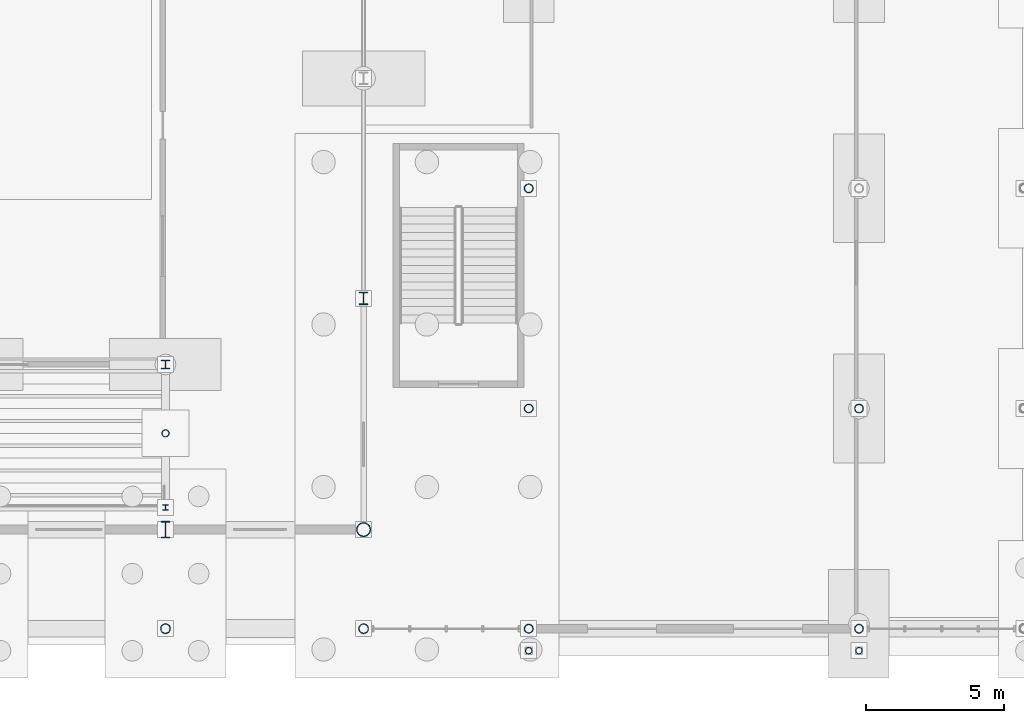
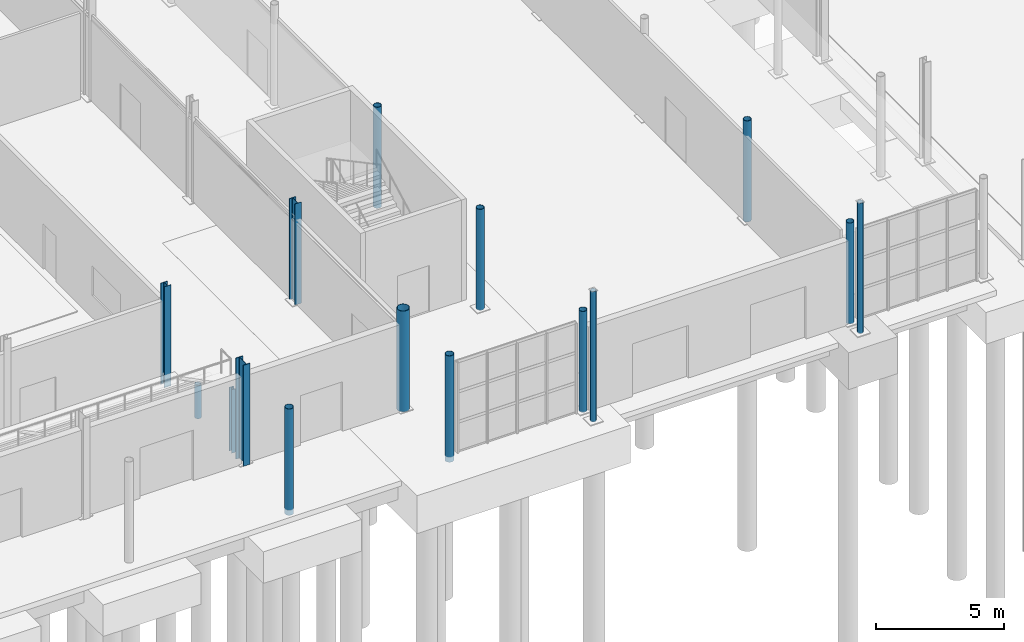
# One storey, part 11 of 101: 15 columns.
"""IFC4 building model written with IfcOpenShell, lengths in metres."""

from ifc_helpers import new_model, si_unit, derived_unit, direction, frame, origin, origin_2d, place, context, subcontext, project, spatial, hollow_circle, i_section, extrude, material, material_profile, profile_set, type_object, element, save


model = new_model("IFC4")

# Units and contexts
model_context = context("Model", 3, precision=1e-05, world=origin(), true_north=direction((0.0, 1.0)))
body_context = subcontext(model_context, "Body", "Model", "MODEL_VIEW")
ifc_project = project(units=[si_unit("LENGTHUNIT", "METRE"), si_unit("AREAUNIT", "SQUARE_METRE"), si_unit("VOLUMEUNIT", "CUBIC_METRE"), si_unit("PLANEANGLEUNIT", "RADIAN"), si_unit("MASSUNIT", "GRAM", prefix="KILO"), derived_unit("THERMALTRANSMITTANCEUNIT", [(si_unit("POWERUNIT", "WATT"), 1), (si_unit("LENGTHUNIT", "METRE"), -2), (si_unit("THERMODYNAMICTEMPERATUREUNIT", "KELVIN"), -1)])], contexts=[model_context])

# Site, building, storey
site_placement = place(None, origin())
site = spatial("IfcSite", under=ifc_project, at=site_placement, CompositionType="ELEMENT")
building_placement = place(site_placement, origin())
building = spatial("IfcBuilding", under=site, at=building_placement, Name="Keldorne Ridge Multi-Sports Centre", CompositionType="ELEMENT")
storey_placement = place(building_placement, origin())
storey = spatial("IfcBuildingStorey", under=building, at=storey_placement, Name="L00", CompositionType="ELEMENT", Elevation=0.0)

# Columns
ifc_material = material(Name="Steel S355", Category="steel")
ifc_material_profile_1 = material_profile(ifc_material, i_section(OverallWidth=0.300048828125, OverallDepth=0.60009765625, WebThickness=0.015380859375, FlangeThickness=0.030029296875, FilletRadius=0.027099609375, at=origin_2d()), Name="HEB 600")
ifc_profile_set_1 = profile_set([ifc_material_profile_1], Name="Steel S355")
column_type_1 = type_object("IfcColumnType", Name="COL-C-01", PredefinedType="COLUMN", material=ifc_profile_set_1)
column_1_placement = place(storey_placement, frame((70.800048828125, 9.60009765625, 0.0), z_axis=(0.0, 0.0, 1.0), x_axis=(1.0, 0.0, 0.0)))
element("IfcColumn", 1, at=column_1_placement, inside=storey, type_object=column_type_1, Name="Structural column V1-HALL-S-10 on L00", PredefinedType="COLUMN", context=body_context, shape_type="SweptSolid", body=[
    extrude(i_section(OverallWidth=0.300048828125, OverallDepth=0.60009765625, WebThickness=0.015380859375, FlangeThickness=0.030029296875, FilletRadius=0.027099609375, at=origin_2d()), origin(), (0.0, 0.0, 1.0), 4.800048828125),
])
ifc_material_profile_2 = material_profile(ifc_material, hollow_circle(Radius=0.25390625, WallThickness=0.02001953125, at=origin_2d()), Name="CHS 508x20")
ifc_profile_set_2 = profile_set([ifc_material_profile_2], Name="Steel S355")
column_type_2 = type_object("IfcColumnType", Name="COL-C-02", PredefinedType="COLUMN", material=ifc_profile_set_2)
column_2_placement = place(storey_placement, frame((78.0, 9.60009765625, 0.0), z_axis=(0.0, 0.0, 1.0), x_axis=(1.0, 0.0, 0.0)))
element("IfcColumn", 2, at=column_2_placement, inside=storey, type_object=column_type_2, Name="Structural column V1-HALL-S-11 on L00", PredefinedType="COLUMN", context=body_context, shape_type="SweptSolid", body=[
    extrude(hollow_circle(Radius=0.25390625, WallThickness=0.02001953125, at=origin_2d()), origin(), (0.0, 0.0, 1.0), 4.800048828125),
])
ifc_material_profile_3 = material_profile(ifc_material, hollow_circle(Radius=0.177734375, WallThickness=0.01611328125, at=origin_2d()), Name="CHS 355.6x16")
ifc_profile_set_3 = profile_set([ifc_material_profile_3], Name="Steel S355")
column_type_3 = type_object("IfcColumnType", Name="COL-C-03", PredefinedType="PILASTER", material=ifc_profile_set_3)
for number, where, z_axis, x_axis, name in (
    (3, (70.800048828125, 6.0, -0.25), (0.0, 0.0, 1.0), (1.0, 0.0, 0.0), "Structural column V1-COLN-10 on L00"),
    (4, (78.0, 6.0, -0.25), (0.0, 0.0, 1.0), (1.0, 0.0, 0.0), "Structural column V1-COLN-11 on L00"),
):
    element("IfcColumn", number, at=place(storey_placement, frame(where, z_axis=z_axis, x_axis=x_axis)), inside=storey, type_object=column_type_3, Name=name, PredefinedType="PILASTER", context=body_context, shape_type="SweptSolid", body=[
        extrude(hollow_circle(Radius=0.177734375, WallThickness=0.01611328125, at=origin_2d()), origin(), (0.0, 0.0, 1.0), 5.050048828125),
    ])
ifc_material_profile_4 = material_profile(ifc_material, i_section(OverallWidth=0.300048828125, OverallDepth=0.449951171875, WebThickness=0.013916015625, FlangeThickness=0.02587890625, FilletRadius=0.027099609375, at=origin_2d()), Name="HEB 450")
ifc_profile_set_4 = profile_set([ifc_material_profile_4], Name="Steel S355")
column_type_4 = type_object("IfcColumnType", Name="COL-C-06", PredefinedType="COLUMN", material=ifc_profile_set_4)
column_3_placement = place(storey_placement, frame((78.0, 18.0, 0.0), z_axis=(0.0, 0.0, 1.0), x_axis=(1.0, 0.0, 0.0)))
element("IfcColumn", 5, at=column_3_placement, inside=storey, type_object=column_type_4, Name="Structural column V1-GABLE-E-01 on L00", PredefinedType="COLUMN", context=body_context, shape_type="SweptSolid", body=[
    extrude(i_section(OverallWidth=0.300048828125, OverallDepth=0.449951171875, WebThickness=0.013916015625, FlangeThickness=0.02587890625, FilletRadius=0.027099609375, at=origin_2d()), origin(), (0.0, 0.0, 1.0), 4.800048828125),
])
ifc_material_profile_5 = material_profile(ifc_material, hollow_circle(Radius=0.161865234375, WallThickness=0.01611328125, at=origin_2d()), Name="CHS 323.9x16")
ifc_profile_set_5 = profile_set([ifc_material_profile_5], Name="Steel S355")
column_type_5 = type_object("IfcColumnType", Name="COL-C-08", PredefinedType="COLUMN", material=ifc_profile_set_5)
for number, where, z_axis, x_axis, name in (
    (6, (84.0, 6.0, 0.0), (0.0, 0.0, 1.0), (1.0, 0.0, 0.0), "Structural column V4-G12-01 on L00"),
    (7, (96.0, 6.0, 0.0), (0.0, 0.0, 1.0), (1.0, 0.0, 0.0), "Structural column V4-G14-01 on L00"),
    (8, (84.0, 14.0, 0.0), (0.0, 0.0, 1.0), (1.0, 0.0, 0.0), "Structural column V4-G12-02 on L00"),
    (9, (96.0, 14.0, 0.0), (0.0, 0.0, 1.0), (1.0, 0.0, 0.0), "Structural column V4-G14-02 on L00"),
    (10, (84.0, 22.0, 0.0), (0.0, 0.0, 1.0), (1.0, 0.0, 0.0), "Structural column V4-G12-03 on L00"),
):
    element("IfcColumn", number, at=place(storey_placement, frame(where, z_axis=z_axis, x_axis=x_axis)), inside=storey, type_object=column_type_5, Name=name, PredefinedType="COLUMN", context=body_context, shape_type="SweptSolid", body=[
        extrude(hollow_circle(Radius=0.161865234375, WallThickness=0.01611328125, at=origin_2d()), origin(), (0.0, 0.0, 1.0), 4.800048828125),
    ])
ifc_material_profile_6 = material_profile(ifc_material, i_section(OverallWidth=0.300048828125, OverallDepth=0.300048828125, WebThickness=0.010986328125, FlangeThickness=0.01904296875, FilletRadius=0.027099609375, at=origin_2d()), Name="HEB 300")
ifc_profile_set_6 = profile_set([ifc_material_profile_6], Name="Steel S355")
column_type_6 = type_object("IfcColumnType", Name="COL-C-12", PredefinedType="COLUMN", material=ifc_profile_set_6)
column_4_placement = place(storey_placement, frame((70.800048828125, 15.60009765625, 0.0), z_axis=(0.0, 0.0, 1.0), x_axis=(1.0, 0.0, 0.0)))
element("IfcColumn", 11, at=column_4_placement, inside=storey, type_object=column_type_6, Name="Structural column V1-MEZZ-10 on L00", PredefinedType="COLUMN", context=body_context, shape_type="SweptSolid", body=[
    extrude(i_section(OverallWidth=0.300048828125, OverallDepth=0.300048828125, WebThickness=0.010986328125, FlangeThickness=0.01904296875, FilletRadius=0.027099609375, at=origin_2d()), origin(), (0.0, 0.0, 1.0), 4.800048828125),
])
ifc_material_profile_7 = material_profile(ifc_material, hollow_circle(Radius=0.122314453125, WallThickness=0.012451171875, at=origin_2d()), Name="CHS 244.5x12.5")
ifc_profile_set_7 = profile_set([ifc_material_profile_7], Name="Steel S355")
column_type_7 = type_object("IfcColumnType", Name="COL-C-19", PredefinedType="PILASTER", material=ifc_profile_set_7)
for number, where, z_axis, x_axis, name in (
    (12, (84.0, 5.199951171875, 0.0), (0.0, 0.0, 1.0), (1.0, 0.0, 0.0), "Structural column V4-CAN-S-01 on L00"),
    (13, (96.0, 5.199951171875, 0.0), (0.0, 0.0, 1.0), (1.0, 0.0, 0.0), "Structural column V4-CAN-S-02 on L00"),
):
    element("IfcColumn", number, at=place(storey_placement, frame(where, z_axis=z_axis, x_axis=x_axis)), inside=storey, type_object=column_type_7, Name=name, PredefinedType="PILASTER", context=body_context, shape_type="SweptSolid", body=[
        extrude(hollow_circle(Radius=0.122314453125, WallThickness=0.012451171875, at=origin_2d()), origin(), (0.0, 0.0, 1.0), 6.199951171875),
    ])
ifc_material_profile_8 = material_profile(ifc_material, i_section(OverallWidth=0.199951171875, OverallDepth=0.199951171875, WebThickness=0.009033203125, FlangeThickness=0.014892578125, FilletRadius=0.01806640625, at=origin_2d()), Name="HEB 200")
ifc_profile_set_8 = profile_set([ifc_material_profile_8], Name="Steel S355")
column_type_8 = type_object("IfcColumnType", Name="COL-C-31", PredefinedType="COLUMN", material=ifc_profile_set_8)
column_5_placement = place(storey_placement, frame((70.800048828125, 10.39990234375, 0.0), z_axis=(0.0, 0.0, 1.0), x_axis=(1.0, 0.0, 0.0)))
element("IfcColumn", 14, at=column_5_placement, inside=storey, type_object=column_type_8, Name="Structural column V1-STDCOL-SOUTH-08 on L00", PredefinedType="COLUMN", context=body_context, shape_type="SweptSolid", body=[
    extrude(i_section(OverallWidth=0.199951171875, OverallDepth=0.199951171875, WebThickness=0.009033203125, FlangeThickness=0.014892578125, FilletRadius=0.01806640625, at=origin_2d()), origin(), (0.0, 0.0, 1.0), 3.02001953125),
])
ifc_material_profile_9 = material_profile(ifc_material, hollow_circle(Radius=0.133544921875, WallThickness=0.012451171875, at=origin_2d()), Name="CHS 267x12.5")
ifc_profile_set_9 = profile_set([ifc_material_profile_9], Name="Steel S355")
column_type_9 = type_object("IfcColumnType", Name="COL-C-41", PredefinedType="COLUMN", material=ifc_profile_set_9)
column_6_placement = place(storey_placement, frame((70.800048828125, 13.10009765625, 0.0), z_axis=(0.0, 0.0, 1.0), x_axis=(1.0, 0.0, 0.0)))
element("IfcColumn", 15, at=column_6_placement, inside=storey, type_object=column_type_9, Name="Structural column V1-STDMID-SOUTH-08 on L00", PredefinedType="COLUMN", context=body_context, shape_type="SweptSolid", body=[
    extrude(hollow_circle(Radius=0.133544921875, WallThickness=0.012451171875, at=origin_2d()), origin(), (0.0, 0.0, 1.0), 1.580078125),
])

save(model, "model.ifc")
